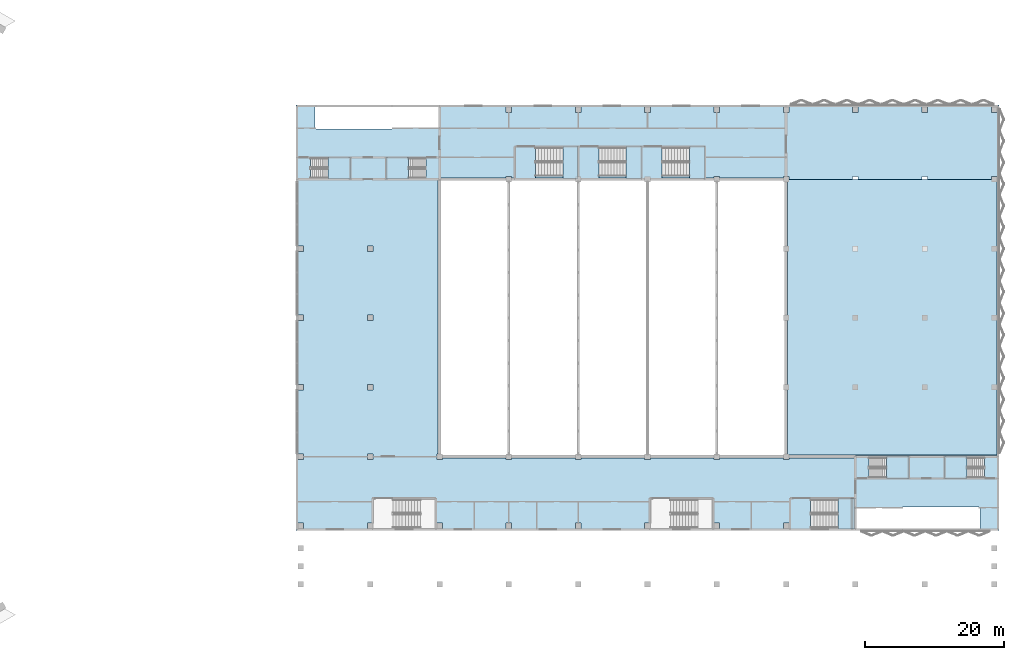
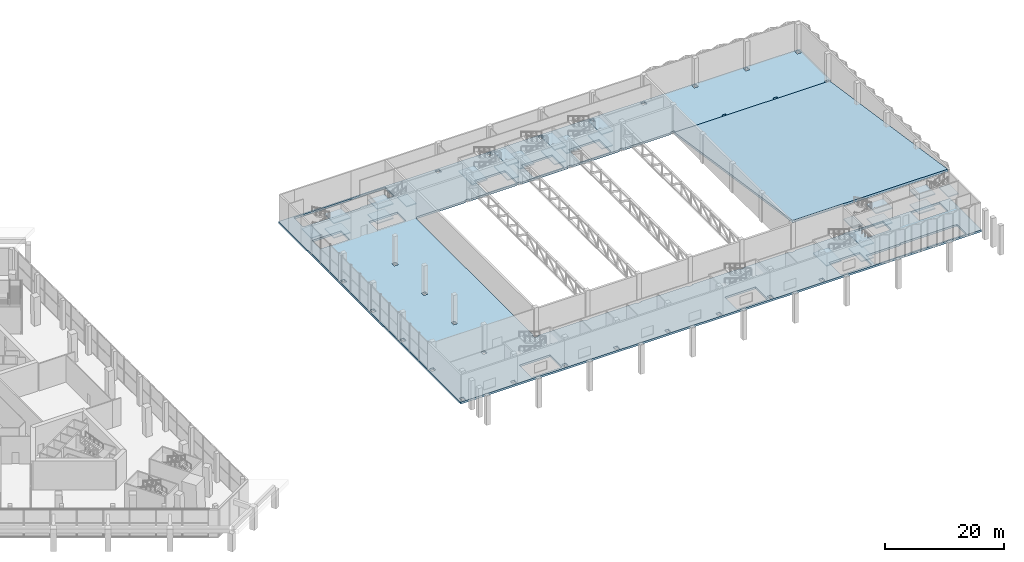
# One storey, part 25 of 51: 26 slabs, 8 elements without a shape of their own.
"""IFC4 building model written with IfcOpenShell, lengths in metres."""

import ifcopenshell
import ifcopenshell.guid

model = None  # the IFC model being written
_history = None  # IfcOwnerHistory: only IFC2X3 demands one
_inside = {}  # id of a spatial element -> (the spatial element, [elements in it])
_under = {}  # id of a project, library or spatial element -> (it, [spatial elements below it])
_declared = {}  # id of a project -> (the project, [libraries it declares])
_typed = {}  # id of a type object -> (the type object, [elements of that type])
_made_of = {}  # id of a material, layer set ... -> (it, [elements and type objects made of it])


def new_model(schema):
    """Start an empty IFC model of exactly this schema.

    Asked for "IFC4X3", IfcOpenShell would pick the latest addendum, in which some entities
    have other attributes; the version numbers below select the first issue.
    IFC2X3 requires an IfcOwnerHistory on every rooted entity: one is made here for all.
    """
    global model, _history
    if schema == "IFC4X3":
        model = ifcopenshell.file(schema_version=(4, 3, 0, 0))
    else:
        model = ifcopenshell.file(schema=schema)
    _inside.clear()
    _under.clear()
    _declared.clear()
    _typed.clear()
    _made_of.clear()
    _history = None
    if model.schema == "IFC2X3":
        org = make("IfcOrganization", Name="unknown")
        user = make(
            "IfcPersonAndOrganization",
            ThePerson=make("IfcPerson", FamilyName="unknown"),
            TheOrganization=org,
        )
        app = make(
            "IfcApplication",
            ApplicationDeveloper=org,
            Version="unknown",
            ApplicationFullName="unknown",
            ApplicationIdentifier="unknown",
        )
        _history = make(
            "IfcOwnerHistory",
            OwningUser=user,
            OwningApplication=app,
            ChangeAction="ADDED",
            CreationDate=0,
        )
    return model


def make(cls, **values):
    """One entity of the class cls with the attributes given. An attribute that is None is left unset."""
    return model.create_entity(
        cls, **{name: value for name, value in values.items() if value is not None}
    )


def rooted(cls, **values):
    """An entity with a GlobalId (a new one), such as an element, a storey or a relation."""
    return make(cls, GlobalId=ifcopenshell.guid.new(), OwnerHistory=_history, **values)


def si_unit(unit_type, name, prefix=None):
    """IfcSIUnit, for example si_unit("LENGTHUNIT", "METRE", prefix="MILLI")."""
    return make("IfcSIUnit", UnitType=unit_type, Prefix=prefix, Name=name)


def assignment(units):
    """IfcUnitAssignment: the units of a project."""
    return None if units is None else make("IfcUnitAssignment", Units=units)


def point(xyz):
    """IfcCartesianPoint."""
    return None if xyz is None else make("IfcCartesianPoint", Coordinates=xyz)


def direction(xyz):
    """IfcDirection."""
    return None if xyz is None else make("IfcDirection", DirectionRatios=xyz)


def frame(location, z_axis=None, x_axis=None):
    """IfcAxis2Placement3D, a coordinate frame: its origin and axes. An axis left out is left unset."""
    return make(
        "IfcAxis2Placement3D",
        Location=point(location),
        Axis=direction(z_axis),
        RefDirection=direction(x_axis),
    )


def origin():
    """The frame at (0, 0, 0) with its axes left unset."""
    return frame((0.0, 0.0, 0.0))


def place(relative_to, where):
    """IfcLocalPlacement: puts the frame where relative to a parent placement (None: the world)."""
    return make(
        "IfcLocalPlacement", PlacementRelTo=relative_to, RelativePlacement=where
    )


def context(
    kind, dimensions, precision=None, world=None, true_north=None, identifier=None
):
    """IfcGeometricRepresentationContext, for example the 3D "Model" context."""
    return make(
        "IfcGeometricRepresentationContext",
        ContextIdentifier=identifier,
        ContextType=kind,
        CoordinateSpaceDimension=dimensions,
        Precision=precision,
        WorldCoordinateSystem=world,
        TrueNorth=true_north,
    )


def subcontext(parent, identifier, kind, view, scale=None):
    """IfcGeometricRepresentationSubContext, for example "Body" below "Model"."""
    return make(
        "IfcGeometricRepresentationSubContext",
        ContextIdentifier=identifier,
        ContextType=kind,
        ParentContext=parent,
        TargetScale=scale,
        TargetView=view,
    )


def project(units=None, contexts=None):
    """IfcProject with its units and contexts."""
    return rooted(
        "IfcProject",
        Name="project",
        RepresentationContexts=contexts,
        UnitsInContext=assignment(units),
    )


def spatial(cls, under=None, at=None, **own):
    """A site, building, storey or space (cls), placed at a placement, below another one or the project."""
    s = rooted(cls, ObjectPlacement=at, **own)
    if under is not None:
        _under.setdefault(under.id(), (under, []))[1].append(s)
    return s


def polyline(points):
    """IfcPolyline through the points."""
    return make("IfcPolyline", Points=[point(p) for p in points])


def outline(outer, holes=None, kind="AREA"):
    """IfcArbitraryClosedProfileDef: a profile drawn as a closed curve; with holes, ...WithVoids."""
    if holes is None:
        return make("IfcArbitraryClosedProfileDef", ProfileType=kind, OuterCurve=outer)
    return make(
        "IfcArbitraryProfileDefWithVoids",
        ProfileType=kind,
        OuterCurve=outer,
        InnerCurves=holes,
    )


def extrude(swept, where, along, depth):
    """IfcExtrudedAreaSolid: the profile swept, set in the frame where, extruded along a direction by depth."""
    return make(
        "IfcExtrudedAreaSolid",
        SweptArea=swept,
        Position=where,
        ExtrudedDirection=direction(along),
        Depth=depth,
    )


def shape(context_of_items, identifier, shape_type, items):
    """IfcShapeRepresentation: the items that make up one representation, for example the "Body"."""
    return make(
        "IfcShapeRepresentation",
        ContextOfItems=context_of_items,
        RepresentationIdentifier=identifier,
        RepresentationType=shape_type,
        Items=items,
    )


def material(Name=None, Category=None):
    """IfcMaterial."""
    return make("IfcMaterial", Name=Name, Category=Category)


def layer(
    of_material, thickness, ventilated=None, Name=None, Category=None, Priority=None
):
    """IfcMaterialLayer: one layer of a wall or slab, of a material (None: an air gap)."""
    return make(
        "IfcMaterialLayer",
        Material=of_material,
        LayerThickness=thickness,
        IsVentilated=ventilated,
        Name=Name,
        Category=Category,
        Priority=Priority,
    )


def layer_set(layers, Name=None):
    """IfcMaterialLayerSet."""
    return make("IfcMaterialLayerSet", MaterialLayers=layers, LayerSetName=Name)


def made_of(thing, what):
    """Note that an element or type object is made of a material, layer set ...; save() writes the relation."""
    if what is not None:
        _made_of.setdefault(what.id(), (what, []))[1].append(thing)
    return thing


def type_object(cls, material=None, **own):
    """A type object (cls), such as IfcWallType, which elements share."""
    return made_of(rooted(cls, **own), material)


def element(
    cls,
    number,
    at=None,
    inside=None,
    cuts=None,
    type_object=None,
    material=None,
    context=None,
    identifier="Body",
    shape_type=None,
    held_by="IfcProductDefinitionShape",
    body=None,
    shapes=None,
    **own,
):
    """One element of the class cls, such as IfcWall. Its Tag is "e" and its number.

    at: its placement. inside: the storey or other place that contains it. cuts: it is an
    opening in that element (IfcRelVoidsElement). A single representation is given by context,
    identifier, shape_type and body (its items); several are given by shapes. held_by: the class
    of the entity that holds the representations. save() writes the other relations.
    """
    e = rooted(cls, Tag="e%d" % number, ObjectPlacement=at, **own)
    if body is not None:
        shapes = [shape(context, identifier, shape_type, body)]
    if shapes is not None:
        e.Representation = make(held_by, Representations=shapes)
    if inside is not None:
        _inside.setdefault(inside.id(), (inside, []))[1].append(e)
    if cuts is not None:
        rooted(
            "IfcRelVoidsElement", RelatingBuildingElement=cuts, RelatedOpeningElement=e
        )
    if type_object is not None:
        _typed.setdefault(type_object.id(), (type_object, []))[1].append(e)
    return made_of(e, material)


def aggregate(whole, parts):
    """IfcRelAggregates: a whole, such as a stair, and the parts it consists of."""
    return rooted("IfcRelAggregates", RelatingObject=whole, RelatedObjects=parts)


def save(model, path):
    """Write the relations noted so far, then the file.

    IfcRelAggregates (storeys below a building ...), IfcRelContainedInSpatialStructure (elements
    in a storey), IfcRelDefinesByType, IfcRelAssociatesMaterial and IfcRelDeclares: one each for
    every whole, place, type object, material and project.
    """
    for whole, parts in _under.values():
        aggregate(whole, parts)
    for where, things in _inside.values():
        rooted(
            "IfcRelContainedInSpatialStructure",
            RelatedElements=things,
            RelatingStructure=where,
        )
    for kind, things in _typed.values():
        rooted("IfcRelDefinesByType", RelatedObjects=things, RelatingType=kind)
    for what, things in _made_of.values():
        rooted("IfcRelAssociatesMaterial", RelatedObjects=things, RelatingMaterial=what)
    for by, libraries in _declared.values():
        rooted("IfcRelDeclares", RelatingContext=by, RelatedDefinitions=libraries)
    model.write(path)


model = new_model("IFC4")

# Units and contexts
model_context = context("Model", 3, precision=1e-05, world=origin(), true_north=direction((0.0, 1.0)))
body_context = subcontext(model_context, "Body", "Model", "MODEL_VIEW")
ifc_project = project(units=[si_unit("LENGTHUNIT", "METRE"), si_unit("AREAUNIT", "SQUARE_METRE"), si_unit("VOLUMEUNIT", "CUBIC_METRE"), si_unit("PLANEANGLEUNIT", "RADIAN"), si_unit("MASSUNIT", "GRAM", prefix="KILO")], contexts=[model_context])

# Site, building, storey
site_placement = place(None, origin())
site = spatial("IfcSite", under=ifc_project, at=site_placement, CompositionType="ELEMENT")
building_placement = place(site_placement, origin())
building = spatial("IfcBuilding", under=site, at=building_placement, Name="Jabali Bay Hotel Tower and Convention Centre", CompositionType="ELEMENT")
storey_placement = place(building_placement, frame((0.0, 0.0, 9.0)))
storey = spatial("IfcBuildingStorey", under=building, at=storey_placement, Name="L01", CompositionType="ELEMENT", Elevation=9.0)

# Slabs
ifc_material = material(Name="Concrete C40", Category="concrete")
ifc_layer_1 = layer(ifc_material, 0.409912109375)
ifc_layer_set_1 = layer_set([ifc_layer_1], Name="Concrete C40")
slab_type_1 = type_object("IfcSlabType", Name="CC Floor Slab 410", PredefinedType="FLOOR", material=ifc_layer_set_1)
slab_1_placement = place(storey_placement, frame((0.0, 0.0, -0.409912109375)))
element("IfcSlab", 1, at=slab_1_placement, inside=storey, type_object=slab_type_1, Name="CC floor slab L01", PredefinedType="FLOOR", context=body_context, shape_type="SweptSolid", body=[
    extrude(outline(polyline([(251.39990234375, 49.300048828125), (251.39990234375, 60.0), (230.699951171875, 60.0), (230.699951171875, 59.800048828125), (221.10009765625, 59.800048828125), (221.10009765625, 59.60009765625), (220.300048828125, 59.60009765625), (220.300048828125, 59.800048828125), (211.10009765625, 59.800048828125), (211.10009765625, 59.60009765625), (210.300048828125, 59.60009765625), (210.300048828125, 59.800048828125), (201.10009765625, 59.800048828125), (201.10009765625, 59.60009765625), (200.300048828125, 59.60009765625), (200.300048828125, 59.800048828125), (191.10009765625, 59.800048828125), (191.10009765625, 59.60009765625), (190.300048828125, 59.60009765625), (190.300048828125, 59.800048828125), (181.10009765625, 59.800048828125), (181.10009765625, 59.60009765625), (180.300048828125, 59.60009765625), (180.300048828125, 59.800048828125), (171.10009765625, 59.800048828125), (171.10009765625, 59.60009765625), (170.300048828125, 59.60009765625), (170.300048828125, 60.39990234375), (170.5, 60.39990234375), (170.5, 100.0), (170.699951171875, 100.0), (170.699951171875, 100.199951171875), (180.300048828125, 100.199951171875), (180.300048828125, 100.39990234375), (181.10009765625, 100.39990234375), (181.10009765625, 100.199951171875), (190.300048828125, 100.199951171875), (190.300048828125, 100.39990234375), (191.10009765625, 100.39990234375), (191.10009765625, 100.199951171875), (200.300048828125, 100.199951171875), (200.300048828125, 100.39990234375), (201.10009765625, 100.39990234375), (201.10009765625, 100.199951171875), (210.300048828125, 100.199951171875), (210.300048828125, 100.39990234375), (211.10009765625, 100.39990234375), (211.10009765625, 100.199951171875), (220.300048828125, 100.199951171875), (220.300048828125, 100.39990234375), (221.10009765625, 100.39990234375), (221.10009765625, 100.0), (230.300048828125, 100.0), (230.300048828125, 100.39990234375), (231.10009765625, 100.39990234375), (231.10009765625, 100.0), (240.300048828125, 100.0), (240.300048828125, 100.39990234375), (241.10009765625, 100.39990234375), (241.10009765625, 100.0), (250.300048828125, 100.0), (250.300048828125, 100.39990234375), (251.10009765625, 100.39990234375), (251.10009765625, 100.0), (251.39990234375, 100.0), (251.39990234375, 110.699951171875), (150.0, 110.699951171875), (150.0, 49.300048828125), (251.39990234375, 49.300048828125)]), holes=[polyline([(160.300048828125, 49.60009765625), (160.300048828125, 50.39990234375), (161.10009765625, 50.39990234375), (161.10009765625, 49.60009765625), (160.300048828125, 49.60009765625)]), polyline([(150.300048828125, 49.60009765625), (150.300048828125, 50.39990234375), (151.10009765625, 50.39990234375), (151.10009765625, 49.60009765625), (150.300048828125, 49.60009765625)]), polyline([(164.010009765625, 49.699951171875), (164.010009765625, 53.800048828125), (170.0, 53.800048828125), (170.0, 49.699951171875), (164.010009765625, 49.699951171875)]), polyline([(150.300048828125, 60.39990234375), (151.10009765625, 60.39990234375), (151.10009765625, 59.60009765625), (150.300048828125, 59.60009765625), (150.300048828125, 60.39990234375)]), polyline([(160.300048828125, 60.39990234375), (161.10009765625, 60.39990234375), (161.10009765625, 59.60009765625), (160.300048828125, 59.60009765625), (160.300048828125, 60.39990234375)]), polyline([(150.300048828125, 70.39990234375), (151.10009765625, 70.39990234375), (151.10009765625, 69.60009765625), (150.300048828125, 69.60009765625), (150.300048828125, 70.39990234375)]), polyline([(160.300048828125, 69.60009765625), (160.300048828125, 70.39990234375), (161.10009765625, 70.39990234375), (161.10009765625, 69.60009765625), (160.300048828125, 69.60009765625)]), polyline([(150.300048828125, 80.39990234375), (151.10009765625, 80.39990234375), (151.10009765625, 79.60009765625), (150.300048828125, 79.60009765625), (150.300048828125, 80.39990234375)]), polyline([(160.300048828125, 80.39990234375), (161.10009765625, 80.39990234375), (161.10009765625, 79.60009765625), (160.300048828125, 79.60009765625), (160.300048828125, 80.39990234375)]), polyline([(150.300048828125, 89.60009765625), (150.300048828125, 90.39990234375), (151.10009765625, 90.39990234375), (151.10009765625, 89.60009765625), (150.300048828125, 89.60009765625)]), polyline([(160.300048828125, 89.60009765625), (160.300048828125, 90.39990234375), (161.10009765625, 90.39990234375), (161.10009765625, 89.60009765625), (160.300048828125, 89.60009765625)]), polyline([(152.110107421875, 100.175048828125), (152.110107421875, 103.02490234375), (157.699951171875, 103.02490234375), (157.699951171875, 100.175048828125), (152.110107421875, 100.175048828125)]), polyline([(168.715087890625, 103.02490234375), (168.715087890625, 100.175048828125), (163.125, 100.175048828125), (163.125, 103.02490234375), (168.715087890625, 103.02490234375)]), polyline([(152.75, 110.39990234375), (152.875, 110.39990234375), (153.0, 110.39990234375), (155.5, 110.39990234375), (155.75, 110.39990234375), (158.25, 110.39990234375), (158.5, 110.39990234375), (161.0, 110.39990234375), (161.25, 110.39990234375), (163.75, 110.39990234375), (163.875, 110.39990234375), (163.949951171875, 110.39990234375), (163.949951171875, 110.47509765625), (170.625, 110.47509765625), (170.625, 107.449951171875), (164.0, 107.449951171875), (164.0, 107.375), (163.875, 107.375), (163.875, 107.25), (152.875, 107.25), (152.875, 107.375), (152.75, 107.375), (152.75, 110.39990234375)]), polyline([(170.300048828125, 50.39990234375), (171.10009765625, 50.39990234375), (171.10009765625, 49.60009765625), (170.300048828125, 49.60009765625), (170.300048828125, 50.39990234375)]), polyline([(200.300048828125, 49.60009765625), (200.300048828125, 50.39990234375), (201.10009765625, 50.39990234375), (201.10009765625, 49.60009765625), (200.300048828125, 49.60009765625)]), polyline([(190.300048828125, 49.60009765625), (190.300048828125, 50.39990234375), (191.10009765625, 50.39990234375), (191.10009765625, 49.60009765625), (190.300048828125, 49.60009765625)]), polyline([(180.300048828125, 50.39990234375), (181.10009765625, 50.39990234375), (181.10009765625, 49.60009765625), (180.300048828125, 49.60009765625), (180.300048828125, 50.39990234375)]), polyline([(193.68505859375, 100.449951171875), (193.68505859375, 104.550048828125), (199.675048828125, 104.550048828125), (199.675048828125, 100.449951171875), (193.68505859375, 100.449951171875)]), polyline([(184.534912109375, 100.449951171875), (184.534912109375, 104.550048828125), (190.52490234375, 104.550048828125), (190.52490234375, 100.449951171875), (184.534912109375, 100.449951171875)]), polyline([(202.8349609375, 100.449951171875), (202.8349609375, 104.550048828125), (208.824951171875, 104.550048828125), (208.824951171875, 100.449951171875), (202.8349609375, 100.449951171875)]), polyline([(190.300048828125, 109.60009765625), (190.300048828125, 110.39990234375), (191.10009765625, 110.39990234375), (191.10009765625, 109.60009765625), (190.300048828125, 109.60009765625)]), polyline([(180.300048828125, 109.60009765625), (180.300048828125, 110.39990234375), (181.10009765625, 110.39990234375), (181.10009765625, 109.60009765625), (180.300048828125, 109.60009765625)]), polyline([(201.10009765625, 110.39990234375), (201.10009765625, 109.60009765625), (200.300048828125, 109.60009765625), (200.300048828125, 110.39990234375), (201.10009765625, 110.39990234375)]), polyline([(210.300048828125, 50.39990234375), (211.10009765625, 50.39990234375), (211.10009765625, 49.60009765625), (210.300048828125, 49.60009765625), (210.300048828125, 50.39990234375)]), polyline([(220.300048828125, 50.39990234375), (221.10009765625, 50.39990234375), (221.10009765625, 49.60009765625), (220.300048828125, 49.60009765625), (220.300048828125, 50.39990234375)]), polyline([(204.010009765625, 49.699951171875), (204.010009765625, 53.800048828125), (210.0, 53.800048828125), (210.0, 49.699951171875), (204.010009765625, 49.699951171875)]), polyline([(224.260009765625, 49.699951171875), (224.260009765625, 53.800048828125), (230.25, 53.800048828125), (230.25, 49.699951171875), (224.260009765625, 49.699951171875)]), polyline([(220.300048828125, 110.39990234375), (221.10009765625, 110.39990234375), (221.10009765625, 109.60009765625), (220.300048828125, 109.60009765625), (220.300048828125, 110.39990234375)]), polyline([(230.300048828125, 110.39990234375), (231.10009765625, 110.39990234375), (231.10009765625, 109.60009765625), (230.300048828125, 109.60009765625), (230.300048828125, 110.39990234375)]), polyline([(211.10009765625, 110.39990234375), (211.10009765625, 109.60009765625), (210.300048828125, 109.60009765625), (210.300048828125, 110.39990234375), (211.10009765625, 110.39990234375)]), polyline([(248.52490234375, 49.60009765625), (248.39990234375, 49.60009765625), (245.89990234375, 49.60009765625), (245.64990234375, 49.60009765625), (243.14990234375, 49.60009765625), (242.89990234375, 49.60009765625), (240.39990234375, 49.60009765625), (240.14990234375, 49.60009765625), (237.64990234375, 49.60009765625), (237.52490234375, 49.60009765625), (237.449951171875, 49.60009765625), (237.449951171875, 49.52490234375), (230.77490234375, 49.52490234375), (230.77490234375, 52.550048828125), (237.39990234375, 52.550048828125), (237.39990234375, 52.625), (237.52490234375, 52.625), (237.52490234375, 52.75), (248.52490234375, 52.75), (248.52490234375, 52.625), (248.64990234375, 52.625), (248.64990234375, 49.60009765625), (248.52490234375, 49.60009765625)]), polyline([(232.68505859375, 56.97509765625), (232.68505859375, 59.824951171875), (238.27490234375, 59.824951171875), (238.27490234375, 56.97509765625), (232.68505859375, 56.97509765625)]), polyline([(249.2900390625, 59.824951171875), (249.2900390625, 56.97509765625), (243.699951171875, 56.97509765625), (243.699951171875, 59.824951171875), (249.2900390625, 59.824951171875)]), polyline([(240.300048828125, 110.39990234375), (241.10009765625, 110.39990234375), (241.10009765625, 109.60009765625), (240.300048828125, 109.60009765625), (240.300048828125, 110.39990234375)]), polyline([(250.300048828125, 109.60009765625), (250.300048828125, 110.39990234375), (251.10009765625, 110.39990234375), (251.10009765625, 109.60009765625), (250.300048828125, 109.60009765625)])]), origin(), (0.0, 0.0, 1.0), 0.409912109375),
])
ifc_layer_2 = layer(ifc_material, 0.449951171875)
ifc_layer_set_2 = layer_set([ifc_layer_2], Name="Concrete C40")
slab_type_2 = type_object("IfcSlabType", Name="CC Raked Seating Slab 450", PredefinedType="FLOOR", material=ifc_layer_set_2)
slab_2_placement = place(storey_placement, frame((220.89990234375, 100.0, 0.0), z_axis=(0.0, 0.148339563006, 0.988936486356), x_axis=(1.0, 0.0, 0.0)))
element("IfcSlab", 2, at=slab_2_placement, inside=storey, type_object=slab_type_2, Name="CC plenary hall raked seating slab", PredefinedType="FLOOR", context=body_context, shape_type="SweptSolid", body=[
    extrude(outline(polyline([(0.0, 0.0), (30.2001953125, 0.0), (30.2001953125, -40.245361328125), (0.0, -40.245361328125), (0.0, 0.0)])), origin(), (0.0, 0.0, -1.0), 0.449951171875),
])

# Stair, slabs
stair_type = type_object("IfcStairType", Name="CC Dogleg Stair 1350", PredefinedType="HALF_TURN_STAIR", material=ifc_material)
stair_1_placement = place(storey_placement, origin())
stair_1 = element("IfcStair", 3, at=stair_1_placement, inside=storey, type_object=stair_type, Name="L01 West stair A", PredefinedType="HALF_TURN_STAIR")
ifc_layer_3 = layer(ifc_material, 0.199951171875)
ifc_layer_set_3 = layer_set([ifc_layer_3], Name="Concrete C40")
slab_type_3 = type_object("IfcSlabType", Name="CC Stair Landing 200", PredefinedType="LANDING", material=ifc_layer_set_3)
slab_3_placement = place(storey_placement, frame((0.0, 0.0, 1.300048828125)))
slab_3 = element("IfcSlab", 4, at=slab_3_placement, type_object=slab_type_3, Name="CC-STWA landing 1", PredefinedType="LANDING", context=body_context, shape_type="SweptSolid", body=[
    extrude(outline(polyline([(154.616943359375, 100.02490234375), (157.85009765625, 100.02490234375), (157.85009765625, 103.175048828125), (154.616943359375, 103.175048828125), (154.616943359375, 100.02490234375)])), origin(), (0.0, 0.0, 1.0), 0.199951171875),
])
slab_4_placement = place(storey_placement, frame((0.0, 0.0, 2.800048828125)))
slab_4 = element("IfcSlab", 5, at=slab_4_placement, type_object=slab_type_3, Name="CC-STWA landing 2", PredefinedType="LANDING", context=body_context, shape_type="SweptSolid", body=[
    extrude(outline(polyline([(150.14990234375, 100.02490234375), (152.10302734375, 100.02490234375), (152.10302734375, 103.175048828125), (150.14990234375, 103.175048828125), (150.14990234375, 100.02490234375)])), origin(), (0.0, 0.0, 1.0), 0.199951171875),
])
slab_5_placement = place(storey_placement, frame((0.0, 0.0, 4.300048828125)))
slab_5 = element("IfcSlab", 6, at=slab_5_placement, type_object=slab_type_3, Name="CC-STWA landing 3", PredefinedType="LANDING", context=body_context, shape_type="SweptSolid", body=[
    extrude(outline(polyline([(154.616943359375, 100.02490234375), (157.85009765625, 100.02490234375), (157.85009765625, 103.175048828125), (154.616943359375, 103.175048828125), (154.616943359375, 100.02490234375)])), origin(), (0.0, 0.0, 1.0), 0.199951171875),
])
aggregate(stair_1, [slab_3, slab_4, slab_5])

stair_2_placement = place(storey_placement, origin())
stair_2 = element("IfcStair", 7, at=stair_2_placement, inside=storey, type_object=stair_type, Name="L01 West stair B", PredefinedType="HALF_TURN_STAIR")
slab_6_placement = place(storey_placement, frame((0.0, 0.0, 1.300048828125)))
slab_6 = element("IfcSlab", 8, at=slab_6_placement, type_object=slab_type_3, Name="CC-STWB landing 1", PredefinedType="LANDING", context=body_context, shape_type="SweptSolid", body=[
    extrude(outline(polyline([(162.97509765625, 100.02490234375), (166.2080078125, 100.02490234375), (166.2080078125, 103.175048828125), (162.97509765625, 103.175048828125), (162.97509765625, 100.02490234375)])), origin(), (0.0, 0.0, 1.0), 0.199951171875),
])
slab_7_placement = place(storey_placement, frame((0.0, 0.0, 2.800048828125)))
slab_7 = element("IfcSlab", 9, at=slab_7_placement, type_object=slab_type_3, Name="CC-STWB landing 2", PredefinedType="LANDING", context=body_context, shape_type="SweptSolid", body=[
    extrude(outline(polyline([(168.721923828125, 100.02490234375), (170.675048828125, 100.02490234375), (170.675048828125, 103.175048828125), (168.721923828125, 103.175048828125), (168.721923828125, 100.02490234375)])), origin(), (0.0, 0.0, 1.0), 0.199951171875),
])
slab_8_placement = place(storey_placement, frame((0.0, 0.0, 4.300048828125)))
slab_8 = element("IfcSlab", 10, at=slab_8_placement, type_object=slab_type_3, Name="CC-STWB landing 3", PredefinedType="LANDING", context=body_context, shape_type="SweptSolid", body=[
    extrude(outline(polyline([(162.97509765625, 100.02490234375), (166.2080078125, 100.02490234375), (166.2080078125, 103.175048828125), (162.97509765625, 103.175048828125), (162.97509765625, 100.02490234375)])), origin(), (0.0, 0.0, 1.0), 0.199951171875),
])
aggregate(stair_2, [slab_6, slab_7, slab_8])

stair_3_placement = place(storey_placement, origin())
stair_3 = element("IfcStair", 11, at=stair_3_placement, inside=storey, type_object=stair_type, Name="L01 East stair A", PredefinedType="HALF_TURN_STAIR")
slab_9_placement = place(storey_placement, frame((0.0, 0.0, 1.300048828125)))
slab_9 = element("IfcSlab", 12, at=slab_9_placement, type_object=slab_type_3, Name="CC-STEA landing 1", PredefinedType="LANDING", context=body_context, shape_type="SweptSolid", body=[
    extrude(outline(polyline([(243.550048828125, 56.824951171875), (246.782958984375, 56.824951171875), (246.782958984375, 59.97509765625), (243.550048828125, 59.97509765625), (243.550048828125, 56.824951171875)])), origin(), (0.0, 0.0, 1.0), 0.199951171875),
])
slab_10_placement = place(storey_placement, frame((0.0, 0.0, 2.800048828125)))
slab_10 = element("IfcSlab", 13, at=slab_10_placement, type_object=slab_type_3, Name="CC-STEA landing 2", PredefinedType="LANDING", context=body_context, shape_type="SweptSolid", body=[
    extrude(outline(polyline([(249.297119140625, 56.824951171875), (251.25, 56.824951171875), (251.25, 59.97509765625), (249.297119140625, 59.97509765625), (249.297119140625, 56.824951171875)])), origin(), (0.0, 0.0, 1.0), 0.199951171875),
])
slab_11_placement = place(storey_placement, frame((0.0, 0.0, 4.300048828125)))
slab_11 = element("IfcSlab", 14, at=slab_11_placement, type_object=slab_type_3, Name="CC-STEA landing 3", PredefinedType="LANDING", context=body_context, shape_type="SweptSolid", body=[
    extrude(outline(polyline([(243.550048828125, 56.824951171875), (246.782958984375, 56.824951171875), (246.782958984375, 59.97509765625), (243.550048828125, 59.97509765625), (243.550048828125, 56.824951171875)])), origin(), (0.0, 0.0, 1.0), 0.199951171875),
])
aggregate(stair_3, [slab_9, slab_10, slab_11])

stair_4_placement = place(storey_placement, origin())
stair_4 = element("IfcStair", 15, at=stair_4_placement, inside=storey, type_object=stair_type, Name="L01 East stair B", PredefinedType="HALF_TURN_STAIR")
slab_12_placement = place(storey_placement, frame((0.0, 0.0, 1.300048828125)))
slab_12 = element("IfcSlab", 16, at=slab_12_placement, type_object=slab_type_3, Name="CC-STEB landing 1", PredefinedType="LANDING", context=body_context, shape_type="SweptSolid", body=[
    extrude(outline(polyline([(235.19189453125, 56.824951171875), (238.425048828125, 56.824951171875), (238.425048828125, 59.97509765625), (235.19189453125, 59.97509765625), (235.19189453125, 56.824951171875)])), origin(), (0.0, 0.0, 1.0), 0.199951171875),
])
slab_13_placement = place(storey_placement, frame((0.0, 0.0, 2.800048828125)))
slab_13 = element("IfcSlab", 17, at=slab_13_placement, type_object=slab_type_3, Name="CC-STEB landing 2", PredefinedType="LANDING", context=body_context, shape_type="SweptSolid", body=[
    extrude(outline(polyline([(230.72509765625, 56.824951171875), (232.677978515625, 56.824951171875), (232.677978515625, 59.97509765625), (230.72509765625, 59.97509765625), (230.72509765625, 56.824951171875)])), origin(), (0.0, 0.0, 1.0), 0.199951171875),
])
slab_14_placement = place(storey_placement, frame((0.0, 0.0, 4.300048828125)))
slab_14 = element("IfcSlab", 18, at=slab_14_placement, type_object=slab_type_3, Name="CC-STEB landing 3", PredefinedType="LANDING", context=body_context, shape_type="SweptSolid", body=[
    extrude(outline(polyline([(235.19189453125, 56.824951171875), (238.425048828125, 56.824951171875), (238.425048828125, 59.97509765625), (235.19189453125, 59.97509765625), (235.19189453125, 56.824951171875)])), origin(), (0.0, 0.0, 1.0), 0.199951171875),
])
aggregate(stair_4, [slab_12, slab_13, slab_14])

stair_5_placement = place(storey_placement, origin())
stair_5 = element("IfcStair", 19, at=stair_5_placement, inside=storey, type_object=stair_type, Name="L01 South Exit Stair 3", PredefinedType="HALF_TURN_STAIR")
slab_15_placement = place(storey_placement, frame((0.0, 0.0, 1.300048828125)))
slab_15 = element("IfcSlab", 20, at=slab_15_placement, type_object=slab_type_3, Name="CC-STS3 landing 1", PredefinedType="LANDING", context=body_context, shape_type="SweptSolid", body=[
    extrude(outline(polyline([(228.20703125, 49.550048828125), (230.60009765625, 49.550048828125), (230.60009765625, 53.949951171875), (228.20703125, 53.949951171875), (228.20703125, 49.550048828125)])), origin(), (0.0, 0.0, 1.0), 0.199951171875),
])
slab_16_placement = place(storey_placement, frame((0.0, 0.0, 2.800048828125)))
slab_16 = element("IfcSlab", 21, at=slab_16_placement, type_object=slab_type_3, Name="CC-STS3 landing 2", PredefinedType="LANDING", context=body_context, shape_type="SweptSolid", body=[
    extrude(outline(polyline([(221.300048828125, 49.550048828125), (224.2529296875, 49.550048828125), (224.2529296875, 53.949951171875), (221.300048828125, 53.949951171875), (221.300048828125, 49.550048828125)])), origin(), (0.0, 0.0, 1.0), 0.199951171875),
])
slab_17_placement = place(storey_placement, frame((0.0, 0.0, 4.300048828125)))
slab_17 = element("IfcSlab", 22, at=slab_17_placement, type_object=slab_type_3, Name="CC-STS3 landing 3", PredefinedType="LANDING", context=body_context, shape_type="SweptSolid", body=[
    extrude(outline(polyline([(228.20703125, 49.550048828125), (230.60009765625, 49.550048828125), (230.60009765625, 53.949951171875), (228.20703125, 53.949951171875), (228.20703125, 49.550048828125)])), origin(), (0.0, 0.0, 1.0), 0.199951171875),
])
aggregate(stair_5, [slab_15, slab_16, slab_17])

stair_6_placement = place(storey_placement, origin())
stair_6 = element("IfcStair", 23, at=stair_6_placement, inside=storey, type_object=stair_type, Name="L01 North Exit Stair 1", PredefinedType="HALF_TURN_STAIR")
slab_18_placement = place(storey_placement, frame((0.0, 0.0, 1.300048828125)))
slab_18 = element("IfcSlab", 24, at=slab_18_placement, type_object=slab_type_3, Name="CC-STN1 landing 1", PredefinedType="LANDING", context=body_context, shape_type="SweptSolid", body=[
    extrude(outline(polyline([(188.48193359375, 100.10009765625), (190.675048828125, 100.10009765625), (190.675048828125, 104.699951171875), (188.48193359375, 104.699951171875), (188.48193359375, 100.10009765625)])), origin(), (0.0, 0.0, 1.0), 0.199951171875),
])
slab_19_placement = place(storey_placement, frame((0.0, 0.0, 2.800048828125)))
slab_19 = element("IfcSlab", 25, at=slab_19_placement, type_object=slab_type_3, Name="CC-STN1 landing 2", PredefinedType="LANDING", context=body_context, shape_type="SweptSolid", body=[
    extrude(outline(polyline([(181.574951171875, 100.10009765625), (184.528076171875, 100.10009765625), (184.528076171875, 104.699951171875), (181.574951171875, 104.699951171875), (181.574951171875, 100.10009765625)])), origin(), (0.0, 0.0, 1.0), 0.199951171875),
])
slab_20_placement = place(storey_placement, frame((0.0, 0.0, 4.300048828125)))
slab_20 = element("IfcSlab", 26, at=slab_20_placement, type_object=slab_type_3, Name="CC-STN1 landing 3", PredefinedType="LANDING", context=body_context, shape_type="SweptSolid", body=[
    extrude(outline(polyline([(188.48193359375, 100.10009765625), (190.675048828125, 100.10009765625), (190.675048828125, 104.699951171875), (188.48193359375, 104.699951171875), (188.48193359375, 100.10009765625)])), origin(), (0.0, 0.0, 1.0), 0.199951171875),
])
aggregate(stair_6, [slab_18, slab_19, slab_20])

stair_7_placement = place(storey_placement, origin())
stair_7 = element("IfcStair", 27, at=stair_7_placement, inside=storey, type_object=stair_type, Name="L01 North Exit Stair 2", PredefinedType="HALF_TURN_STAIR")
slab_21_placement = place(storey_placement, frame((0.0, 0.0, 1.300048828125)))
slab_21 = element("IfcSlab", 28, at=slab_21_placement, type_object=slab_type_3, Name="CC-STN2 landing 1", PredefinedType="LANDING", context=body_context, shape_type="SweptSolid", body=[
    extrude(outline(polyline([(197.632080078125, 100.10009765625), (199.824951171875, 100.10009765625), (199.824951171875, 104.699951171875), (197.632080078125, 104.699951171875), (197.632080078125, 100.10009765625)])), origin(), (0.0, 0.0, 1.0), 0.199951171875),
])
slab_22_placement = place(storey_placement, frame((0.0, 0.0, 2.800048828125)))
slab_22 = element("IfcSlab", 29, at=slab_22_placement, type_object=slab_type_3, Name="CC-STN2 landing 2", PredefinedType="LANDING", context=body_context, shape_type="SweptSolid", body=[
    extrude(outline(polyline([(190.72509765625, 100.10009765625), (193.677978515625, 100.10009765625), (193.677978515625, 104.699951171875), (190.72509765625, 104.699951171875), (190.72509765625, 100.10009765625)])), origin(), (0.0, 0.0, 1.0), 0.199951171875),
])
slab_23_placement = place(storey_placement, frame((0.0, 0.0, 4.300048828125)))
slab_23 = element("IfcSlab", 30, at=slab_23_placement, type_object=slab_type_3, Name="CC-STN2 landing 3", PredefinedType="LANDING", context=body_context, shape_type="SweptSolid", body=[
    extrude(outline(polyline([(197.632080078125, 100.10009765625), (199.824951171875, 100.10009765625), (199.824951171875, 104.699951171875), (197.632080078125, 104.699951171875), (197.632080078125, 100.10009765625)])), origin(), (0.0, 0.0, 1.0), 0.199951171875),
])
aggregate(stair_7, [slab_21, slab_22, slab_23])

stair_8_placement = place(storey_placement, origin())
stair_8 = element("IfcStair", 31, at=stair_8_placement, inside=storey, type_object=stair_type, Name="L01 North Exit Stair 3", PredefinedType="HALF_TURN_STAIR")
slab_24_placement = place(storey_placement, frame((0.0, 0.0, 1.300048828125)))
slab_24 = element("IfcSlab", 32, at=slab_24_placement, type_object=slab_type_3, Name="CC-STN3 landing 1", PredefinedType="LANDING", context=body_context, shape_type="SweptSolid", body=[
    extrude(outline(polyline([(206.781982421875, 100.10009765625), (208.97509765625, 100.10009765625), (208.97509765625, 104.699951171875), (206.781982421875, 104.699951171875), (206.781982421875, 100.10009765625)])), origin(), (0.0, 0.0, 1.0), 0.199951171875),
])
slab_25_placement = place(storey_placement, frame((0.0, 0.0, 2.800048828125)))
slab_25 = element("IfcSlab", 33, at=slab_25_placement, type_object=slab_type_3, Name="CC-STN3 landing 2", PredefinedType="LANDING", context=body_context, shape_type="SweptSolid", body=[
    extrude(outline(polyline([(199.875, 100.10009765625), (202.827880859375, 100.10009765625), (202.827880859375, 104.699951171875), (199.875, 104.699951171875), (199.875, 100.10009765625)])), origin(), (0.0, 0.0, 1.0), 0.199951171875),
])
slab_26_placement = place(storey_placement, frame((0.0, 0.0, 4.300048828125)))
slab_26 = element("IfcSlab", 34, at=slab_26_placement, type_object=slab_type_3, Name="CC-STN3 landing 3", PredefinedType="LANDING", context=body_context, shape_type="SweptSolid", body=[
    extrude(outline(polyline([(206.781982421875, 100.10009765625), (208.97509765625, 100.10009765625), (208.97509765625, 104.699951171875), (206.781982421875, 104.699951171875), (206.781982421875, 100.10009765625)])), origin(), (0.0, 0.0, 1.0), 0.199951171875),
])
aggregate(stair_8, [slab_24, slab_25, slab_26])

save(model, "model.ifc")
